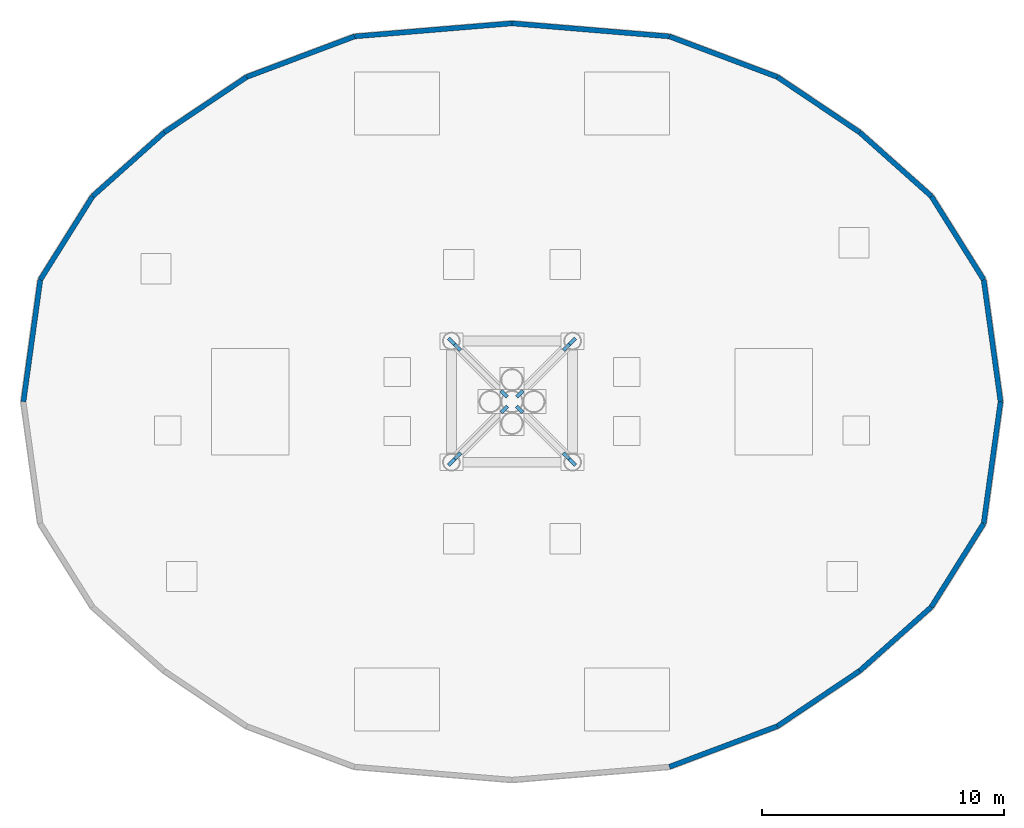
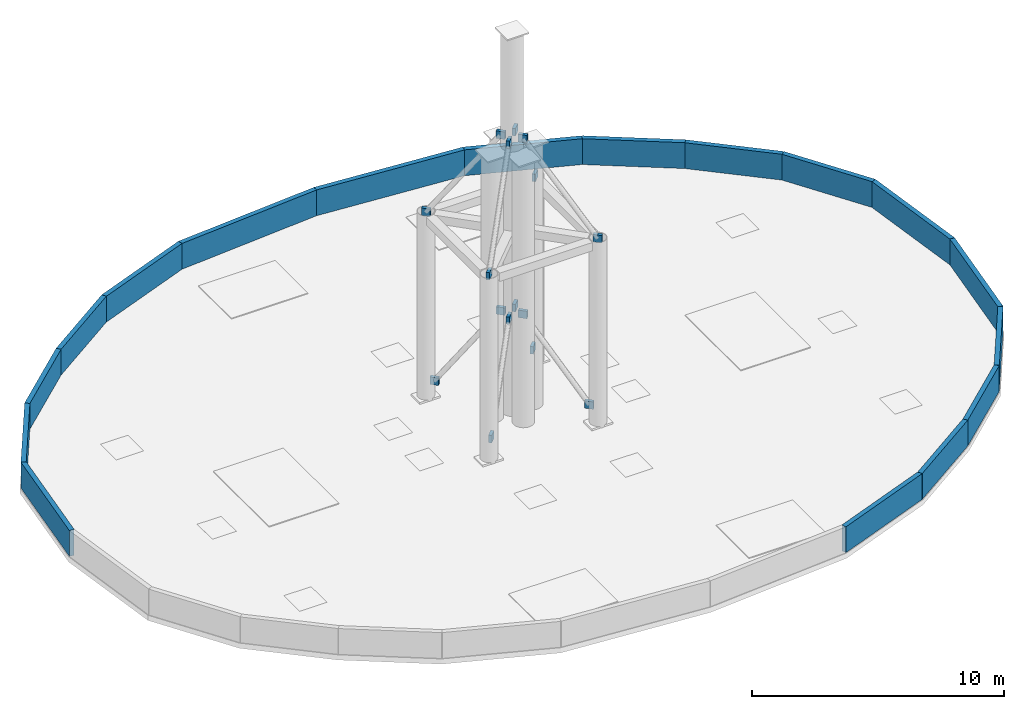
# One storey, part 2 of 3: 17 walls, 16 discrete accessories.
"""IFC4 building model written with IfcOpenShell, lengths in metres."""

from ifc_helpers import new_model, si_unit, direction, frame, frame_2d, origin, origin_2d, place, context, subcontext, project, spatial, rectangle, extrude, material, layer, layer_set, type_object, element, save


model = new_model("IFC4")

# Units and contexts
model_context = context("Model", 3, precision=1e-05, world=origin(), true_north=direction((0.0, 1.0)))
body_context = subcontext(model_context, "Body", "Model", "MODEL_VIEW")
ifc_project = project(units=[si_unit("LENGTHUNIT", "METRE"), si_unit("AREAUNIT", "SQUARE_METRE"), si_unit("VOLUMEUNIT", "CUBIC_METRE"), si_unit("PLANEANGLEUNIT", "RADIAN"), si_unit("MASSUNIT", "GRAM", prefix="KILO")], contexts=[model_context])

# Site, building, storey
site_placement = place(None, origin())
site = spatial("IfcSite", under=ifc_project, at=site_placement, CompositionType="ELEMENT")
building_placement = place(site_placement, origin())
building = spatial("IfcBuilding", under=site, at=building_placement, Name="Solvane Sanctuary Tower", CompositionType="ELEMENT")
storey_placement = place(building_placement, frame((0.0, 0.0, 279.60009765625)))
storey = spatial("IfcBuildingStorey", under=building, at=storey_placement, Name="Roof", CompositionType="ELEMENT", Elevation=279.60009765625)

# Walls
ifc_material_1 = material(Name="Precast concrete C40/50", Category="concrete")
ifc_layer_1 = layer(ifc_material_1, 0.2099609375, Name="Precast concrete C40/50")
ifc_layer_set_1 = layer_set([ifc_layer_1], Name="Precast concrete C40/50")
wall_type = type_object("IfcWallType", Name="Wall W-PARAPET-200", PredefinedType="PARAPET", material=ifc_layer_set_1)
wall_1_placement = place(storey_placement, frame((52.157958984375, 23.0, 0.0), z_axis=(0.0, 0.0, 1.0), x_axis=(-0.137211863232, 0.99054172279, 0.0)))
element("IfcWall", 1, at=wall_1_placement, inside=storey, type_object=wall_type, Name="Roof Perimeter Parapet Wall 00", PredefinedType="PARAPET", context=body_context, shape_type="SweptSolid", body=[
    extrude(rectangle(XDim=5.076416015625, YDim=0.2099609375, at=frame_2d((2.5380859375, 0.0))), origin(), (0.0, 0.0, 1.0), 1.25),
])
wall_2_placement = place(storey_placement, frame((51.46142578125, 28.0283203125, 0.0), z_axis=(0.0, 0.0, 1.0), x_axis=(-0.531287577287, 0.847191542817, 0.0)))
element("IfcWall", 2, at=wall_2_placement, inside=storey, type_object=wall_type, Name="Roof Perimeter Parapet Wall 01", PredefinedType="PARAPET", context=body_context, shape_type="SweptSolid", body=[
    extrude(rectangle(XDim=4.068115234375, YDim=0.2099609375, at=frame_2d((2.0341796875, 0.0))), origin(), (0.0, 0.0, 1.0), 1.25),
])
wall_3_placement = place(storey_placement, frame((49.300048828125, 31.474853515625, 0.0), z_axis=(0.0, 0.0, 1.0), x_axis=(-0.746509940477, 0.665374262179, 0.0)))
element("IfcWall", 3, at=wall_3_placement, inside=storey, type_object=wall_type, Name="Roof Perimeter Parapet Wall 02", PredefinedType="PARAPET", context=body_context, shape_type="SweptSolid", body=[
    extrude(rectangle(XDim=3.956787109375, YDim=0.2099609375, at=frame_2d((1.978515625, 0.0))), origin(), (0.0, 0.0, 1.0), 1.25),
])
wall_4_placement = place(storey_placement, frame((46.34619140625, 34.107666015625, 0.0), z_axis=(0.0, 0.0, 1.0), x_axis=(-0.829797855966, 0.55806408076, 0.0)))
element("IfcWall", 4, at=wall_4_placement, inside=storey, type_object=wall_type, Name="Roof Perimeter Parapet Wall 03", PredefinedType="PARAPET", context=body_context, shape_type="SweptSolid", body=[
    extrude(rectangle(XDim=4.097900390625, YDim=0.2099609375, at=frame_2d((2.048828125, 0.0))), origin(), (0.0, 0.0, 1.0), 1.25),
])
wall_5_placement = place(storey_placement, frame((42.94580078125, 36.39453125, 0.0), z_axis=(0.0, 0.0, 1.0), x_axis=(-0.936025008685, 0.35193349246, 0.0)))
element("IfcWall", 5, at=wall_5_placement, inside=storey, type_object=wall_type, Name="Roof Perimeter Parapet Wall 04", PredefinedType="PARAPET", context=body_context, shape_type="SweptSolid", body=[
    extrude(rectangle(XDim=4.75537109375, YDim=0.2099609375, at=frame_2d((2.377685546875, 0.0))), origin(), (0.0, 0.0, 1.0), 1.25),
])
for number, where, z_axis, x_axis, name in (
    (6, (38.49462890625, 38.068115234375, 0.0), (0.0, 0.0, 1.0), (-0.996573090317, 0.082716840216, 0.0), "Roof Perimeter Parapet Wall 05"),
    (7, (32.0, 38.607177734375, 0.0), (0.0, 0.0, 1.0), (-0.996573090317, -0.082716840216, 0.0), "Roof Perimeter Parapet Wall 06"),
):
    element("IfcWall", number, at=place(storey_placement, frame(where, z_axis=z_axis, x_axis=x_axis)), inside=storey, type_object=wall_type, Name=name, PredefinedType="PARAPET", context=body_context, shape_type="SweptSolid", body=[
        extrude(rectangle(XDim=6.516845703125, YDim=0.2099609375, at=frame_2d((3.25830078125, 0.0))), origin(), (0.0, 0.0, 1.0), 1.25),
    ])
wall_6_placement = place(storey_placement, frame((25.50537109375, 38.068115234375, 0.0), z_axis=(0.0, 0.0, 1.0), x_axis=(-0.936025008685, -0.35193349246, 0.0)))
element("IfcWall", 8, at=wall_6_placement, inside=storey, type_object=wall_type, Name="Roof Perimeter Parapet Wall 07", PredefinedType="PARAPET", context=body_context, shape_type="SweptSolid", body=[
    extrude(rectangle(XDim=4.75537109375, YDim=0.2099609375, at=frame_2d((2.377685546875, 0.0))), origin(), (0.0, 0.0, 1.0), 1.25),
])
wall_7_placement = place(storey_placement, frame((21.05419921875, 36.39453125, 0.0), z_axis=(0.0, 0.0, 1.0), x_axis=(-0.829797855966, -0.55806408076, 0.0)))
element("IfcWall", 9, at=wall_7_placement, inside=storey, type_object=wall_type, Name="Roof Perimeter Parapet Wall 08", PredefinedType="PARAPET", context=body_context, shape_type="SweptSolid", body=[
    extrude(rectangle(XDim=4.097900390625, YDim=0.2099609375, at=frame_2d((2.048828125, 0.0))), origin(), (0.0, 0.0, 1.0), 1.25),
])
wall_8_placement = place(storey_placement, frame((17.65380859375, 34.107666015625, 0.0), z_axis=(0.0, 0.0, 1.0), x_axis=(-0.746509940477, -0.665374262179, 0.0)))
element("IfcWall", 10, at=wall_8_placement, inside=storey, type_object=wall_type, Name="Roof Perimeter Parapet Wall 09", PredefinedType="PARAPET", context=body_context, shape_type="SweptSolid", body=[
    extrude(rectangle(XDim=3.956787109375, YDim=0.2099609375, at=frame_2d((1.978515625, 0.0))), origin(), (0.0, 0.0, 1.0), 1.25),
])
wall_9_placement = place(storey_placement, frame((14.699951171875, 31.474853515625, 0.0), z_axis=(0.0, 0.0, 1.0), x_axis=(-0.531287577287, -0.847191542817, 0.0)))
element("IfcWall", 11, at=wall_9_placement, inside=storey, type_object=wall_type, Name="Roof Perimeter Parapet Wall 10", PredefinedType="PARAPET", context=body_context, shape_type="SweptSolid", body=[
    extrude(rectangle(XDim=4.068115234375, YDim=0.2099609375, at=frame_2d((2.0341796875, 0.0))), origin(), (0.0, 0.0, 1.0), 1.25),
])
wall_10_placement = place(storey_placement, frame((12.53857421875, 28.0283203125, 0.0), z_axis=(0.0, 0.0, 1.0), x_axis=(-0.137211863232, -0.99054172279, 0.0)))
element("IfcWall", 12, at=wall_10_placement, inside=storey, type_object=wall_type, Name="Roof Perimeter Parapet Wall 11", PredefinedType="PARAPET", context=body_context, shape_type="SweptSolid", body=[
    extrude(rectangle(XDim=5.076416015625, YDim=0.2099609375, at=frame_2d((2.5380859375, 0.0))), origin(), (0.0, 0.0, 1.0), 1.25),
])
wall_11_placement = place(storey_placement, frame((38.49462890625, 7.931884765625, 0.0), z_axis=(0.0, 0.0, 1.0), x_axis=(0.936025008685, 0.35193349246, 0.0)))
element("IfcWall", 13, at=wall_11_placement, inside=storey, type_object=wall_type, Name="Roof Perimeter Parapet Wall 19", PredefinedType="PARAPET", context=body_context, shape_type="SweptSolid", body=[
    extrude(rectangle(XDim=4.75537109375, YDim=0.2099609375, at=frame_2d((2.377685546875, 0.0))), origin(), (0.0, 0.0, 1.0), 1.25),
])
wall_12_placement = place(storey_placement, frame((42.94580078125, 9.60546875, 0.0), z_axis=(0.0, 0.0, 1.0), x_axis=(0.829797855966, 0.55806408076, 0.0)))
element("IfcWall", 14, at=wall_12_placement, inside=storey, type_object=wall_type, Name="Roof Perimeter Parapet Wall 20", PredefinedType="PARAPET", context=body_context, shape_type="SweptSolid", body=[
    extrude(rectangle(XDim=4.097900390625, YDim=0.2099609375, at=frame_2d((2.048828125, 0.0))), origin(), (0.0, 0.0, 1.0), 1.25),
])
wall_13_placement = place(storey_placement, frame((46.34619140625, 11.892333984375, 0.0), z_axis=(0.0, 0.0, 1.0), x_axis=(0.746509940477, 0.665374262179, 0.0)))
element("IfcWall", 15, at=wall_13_placement, inside=storey, type_object=wall_type, Name="Roof Perimeter Parapet Wall 21", PredefinedType="PARAPET", context=body_context, shape_type="SweptSolid", body=[
    extrude(rectangle(XDim=3.956787109375, YDim=0.2099609375, at=frame_2d((1.978515625, 0.0))), origin(), (0.0, 0.0, 1.0), 1.25),
])
wall_14_placement = place(storey_placement, frame((49.300048828125, 14.525146484375, 0.0), z_axis=(0.0, 0.0, 1.0), x_axis=(0.531287577287, 0.847191542817, 0.0)))
element("IfcWall", 16, at=wall_14_placement, inside=storey, type_object=wall_type, Name="Roof Perimeter Parapet Wall 22", PredefinedType="PARAPET", context=body_context, shape_type="SweptSolid", body=[
    extrude(rectangle(XDim=4.068115234375, YDim=0.2099609375, at=frame_2d((2.0341796875, 0.0))), origin(), (0.0, 0.0, 1.0), 1.25),
])
wall_15_placement = place(storey_placement, frame((51.46142578125, 17.9716796875, 0.0), z_axis=(0.0, 0.0, 1.0), x_axis=(0.137211863232, 0.99054172279, 0.0)))
element("IfcWall", 17, at=wall_15_placement, inside=storey, type_object=wall_type, Name="Roof Perimeter Parapet Wall 23", PredefinedType="PARAPET", context=body_context, shape_type="SweptSolid", body=[
    extrude(rectangle(XDim=5.076416015625, YDim=0.2099609375, at=frame_2d((2.5380859375, 0.0))), origin(), (0.0, 0.0, 1.0), 1.25),
])

# Discrete accessories
ifc_material_2 = material(Name="Steel ASTM A572 Grade 50", Category="steel")
ifc_layer_2 = layer(ifc_material_2, 0.360107421875, Name="Steel ASTM A572 Grade 50")
ifc_layer_set_2 = layer_set([ifc_layer_2], Name="Steel ASTM A572 Grade 50")
discrete_accessory_type = type_object("IfcDiscreteAccessoryType", Name="Accessory ACC-GUSSET-BRK", PredefinedType="BRACKET", material=ifc_layer_set_2)
for number, where, z_axis, x_axis, name in (
    (18, (29.75341796875, 20.75341796875, 0.681640625), (0.0, 0.0, 1.0), (0.707106781187, 0.707106781187, 0.0), "Roof Spire Lower Lattice Brace 1 End Gusset Bracket A"),
    (19, (31.6796875, 22.6796875, 4.57275390625), (0.0, 0.0, 1.0), (0.707106781187, 0.707106781187, 0.0), "Roof Spire Lower Lattice Brace 1 End Gusset Bracket B"),
    (20, (29.50830078125, 20.50830078125, 8.7958984375), (0.0, 0.0, 1.0), (0.707106781187, 0.707106781187, 0.0), "Roof Spire Upper Taper Brace 1 End Gusset Bracket A"),
    (21, (31.6796875, 22.6796875, 13.0869140625), (0.0, 0.0, 1.0), (0.707106781187, 0.707106781187, 0.0), "Roof Spire Upper Taper Brace 1 End Gusset Bracket B"),
    (22, (34.24658203125, 20.75341796875, 0.681640625), (0.0, 0.0, 1.0), (-0.707106781187, 0.707106781187, 0.0), "Roof Spire Lower Lattice Brace 2 End Gusset Bracket A"),
    (23, (32.3203125, 22.6796875, 4.57275390625), (0.0, 0.0, 1.0), (-0.707106781187, 0.707106781187, 0.0), "Roof Spire Lower Lattice Brace 2 End Gusset Bracket B"),
    (24, (34.49169921875, 20.50830078125, 8.7958984375), (0.0, 0.0, 1.0), (-0.707106781187, 0.707106781187, 0.0), "Roof Spire Upper Taper Brace 2 End Gusset Bracket A"),
    (25, (32.3203125, 22.6796875, 13.0869140625), (0.0, 0.0, 1.0), (-0.707106781187, 0.707106781187, 0.0), "Roof Spire Upper Taper Brace 2 End Gusset Bracket B"),
    (26, (34.24658203125, 25.24658203125, 0.681640625), (0.0, 0.0, 1.0), (-0.707106781187, -0.707106781187, 0.0), "Roof Spire Lower Lattice Brace 3 End Gusset Bracket A"),
    (27, (32.3203125, 23.3203125, 4.57275390625), (0.0, 0.0, 1.0), (-0.707106781187, -0.707106781187, 0.0), "Roof Spire Lower Lattice Brace 3 End Gusset Bracket B"),
    (28, (34.49169921875, 25.49169921875, 8.7958984375), (0.0, 0.0, 1.0), (-0.707106781187, -0.707106781187, 0.0), "Roof Spire Upper Taper Brace 3 End Gusset Bracket A"),
    (29, (32.3203125, 23.3203125, 13.0869140625), (0.0, 0.0, 1.0), (-0.707106781187, -0.707106781187, 0.0), "Roof Spire Upper Taper Brace 3 End Gusset Bracket B"),
    (30, (29.75341796875, 25.24658203125, 0.681640625), (0.0, 0.0, 1.0), (0.707106781187, -0.707106781187, 0.0), "Roof Spire Lower Lattice Brace 4 End Gusset Bracket A"),
    (31, (31.6796875, 23.3203125, 4.57275390625), (0.0, 0.0, 1.0), (0.707106781187, -0.707106781187, 0.0), "Roof Spire Lower Lattice Brace 4 End Gusset Bracket B"),
    (32, (29.50830078125, 25.49169921875, 8.7958984375), (0.0, 0.0, 1.0), (0.707106781187, -0.707106781187, 0.0), "Roof Spire Upper Taper Brace 4 End Gusset Bracket A"),
    (33, (31.6796875, 23.3203125, 13.0869140625), (0.0, 0.0, 1.0), (0.707106781187, -0.707106781187, 0.0), "Roof Spire Upper Taper Brace 4 End Gusset Bracket B"),
):
    element("IfcDiscreteAccessory", number, at=place(storey_placement, frame(where, z_axis=z_axis, x_axis=x_axis)), inside=storey, type_object=discrete_accessory_type, Name=name, PredefinedType="BRACKET", context=body_context, shape_type="SweptSolid", body=[
        extrude(rectangle(XDim=0.360107421875, YDim=0.139892578125, at=origin_2d()), origin(), (0.0, 0.0, 1.0), 0.360107421875),
    ])

save(model, "model.ifc")
